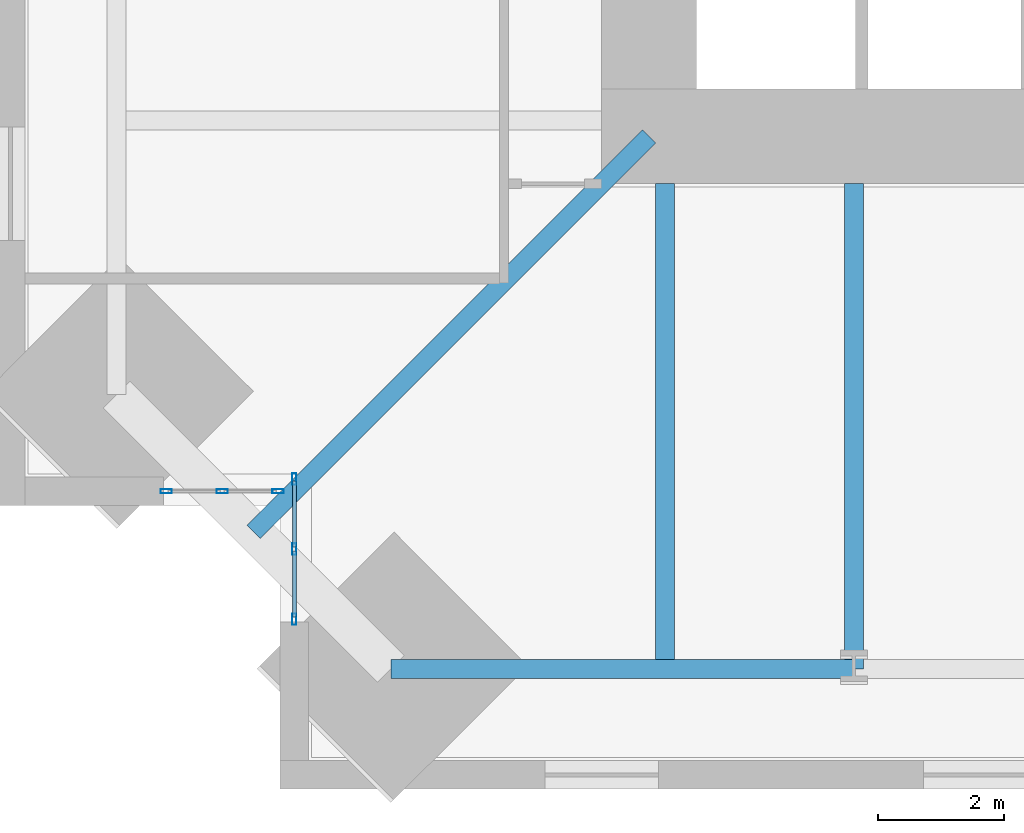
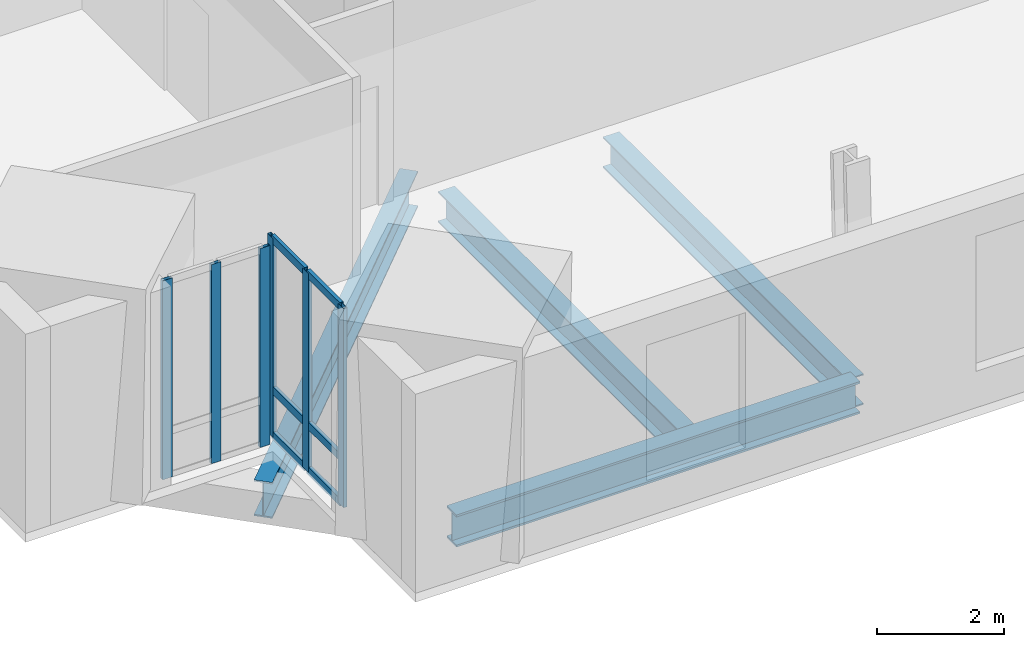
# One storey, part 2 of 16: 12 members, 4 beams, 2 elements without a shape of their own.
"""IFC4 building model written with IfcOpenShell, lengths in metres."""

from ifc_helpers import new_model, si_unit, direction, frame, origin, origin_2d, place, context, subcontext, project, spatial, hollow_rectangle, i_section, extrude, material, material_profile, profile_set, type_object, element, aggregate, save


model = new_model("IFC4")

# Units and contexts
model_context = context("Model", 3, precision=1e-05, world=origin(), true_north=direction((0.0, 1.0)))
body_context = subcontext(model_context, "Body", "Model", "MODEL_VIEW")
ifc_project = project(units=[si_unit("LENGTHUNIT", "METRE"), si_unit("AREAUNIT", "SQUARE_METRE"), si_unit("VOLUMEUNIT", "CUBIC_METRE"), si_unit("PLANEANGLEUNIT", "RADIAN"), si_unit("MASSUNIT", "GRAM", prefix="KILO")], contexts=[model_context])

# Site, building, storey
site_placement = place(None, origin())
site = spatial("IfcSite", under=ifc_project, at=site_placement, CompositionType="ELEMENT")
building_placement = place(site_placement, origin())
building = spatial("IfcBuilding", under=site, at=building_placement, Name="Peilmerk Tower", CompositionType="ELEMENT")
storey_placement = place(building_placement, frame((0.0, 0.0, 277.800048828125)))
storey = spatial("IfcBuildingStorey", under=building, at=storey_placement, Name="L62", CompositionType="ELEMENT", Elevation=277.800048828125)

# Beams
ifc_material_1 = material(Name="Steel S355", Category="steel")
ifc_material_profile_1 = material_profile(ifc_material_1, i_section(OverallWidth=0.300048828125, OverallDepth=0.68994140625, WebThickness=0.014404296875, FlangeThickness=0.027099609375, at=origin_2d()), Name="HEA 700")
ifc_profile_set_1 = profile_set([ifc_material_profile_1], Name="Steel S355")
beam_type_1 = type_object("IfcBeamType", Name="B16 HEA 700 floor beam", PredefinedType="BEAM", material=ifc_profile_set_1)
beam_1_placement = place(storey_placement, frame((-11.25, -11.25, -0.51513671875), z_axis=(-0.707106781187, -0.707106781187, 0.0), x_axis=(0.707106781187, -0.707106781187, 0.0)))
element("IfcBeam", 1, at=beam_1_placement, inside=storey, type_object=beam_type_1, Name="Corner girder L62", PredefinedType="BEAM", context=body_context, shape_type="SweptSolid", body=[
    extrude(i_section(OverallWidth=0.300048828125, OverallDepth=0.68994140625, WebThickness=0.014404296875, FlangeThickness=0.027099609375, at=origin_2d()), origin(), (0.0, 0.0, 1.0), 8.867431640625),
])
ifc_material_profile_2 = material_profile(ifc_material_1, i_section(OverallWidth=0.300048828125, OverallDepth=0.590087890625, WebThickness=0.012939453125, FlangeThickness=0.02490234375, at=origin_2d()), Name="HEA 600")
ifc_profile_set_2 = profile_set([ifc_material_profile_2], Name="Steel S355")
beam_type_2 = type_object("IfcBeamType", Name="B27 HEA 600 floor beam", PredefinedType="BEAM", material=ifc_profile_set_2)
for number, where, z_axis, x_axis, name in (
    (2, (-11.0, -12.0, -0.465087890625), (0.0, -1.0, 0.0), (1.0, 0.0, 0.0), "Floor beam L62"),
    (3, (-8.0, -12.0, -0.465087890625), (0.0, -1.0, 0.0), (1.0, 0.0, 0.0), "Floor beam L62"),
):
    element("IfcBeam", number, at=place(storey_placement, frame(where, z_axis=z_axis, x_axis=x_axis)), inside=storey, type_object=beam_type_2, Name=name, PredefinedType="BEAM", context=body_context, shape_type="SweptSolid", body=[
        extrude(i_section(OverallWidth=0.300048828125, OverallDepth=0.590087890625, WebThickness=0.012939453125, FlangeThickness=0.02490234375, at=origin_2d()), origin(), (0.0, 0.0, 1.0), 7.695068359375),
    ])
ifc_material_profile_3 = material_profile(ifc_material_1, i_section(OverallWidth=0.304931640625, OverallDepth=0.6201171875, WebThickness=0.02099609375, FlangeThickness=0.0400390625, at=origin_2d()), Name="HEM 600")
ifc_profile_set_3 = profile_set([ifc_material_profile_3], Name="Steel S355")
beam_type_3 = type_object("IfcBeamType", Name="B31 HEM 600 edge beam", PredefinedType="SPANDREL", material=ifc_profile_set_3)
beam_2_placement = place(storey_placement, frame((-15.34521484375, -19.695068359375, -0.47998046875), z_axis=(1.0, 0.0, 0.0), x_axis=(0.0, 1.0, 0.0)))
element("IfcBeam", 4, at=beam_2_placement, inside=storey, type_object=beam_type_3, Name="Edge beam L62", PredefinedType="SPANDREL", context=body_context, shape_type="SweptSolid", body=[
    extrude(i_section(OverallWidth=0.304931640625, OverallDepth=0.6201171875, WebThickness=0.02099609375, FlangeThickness=0.0400390625, at=origin_2d()), origin(), (0.0, 0.0, 1.0), 7.34521484375),
])

# Curtain wall, members
ifc_material_2 = material(Name="Aluminium stick curtain wall", Category="aluminium")
curtain_wall_type = type_object("IfcCurtainWallType", Name="CW4 stick curtain wall, 2250 module", PredefinedType="NOTDEFINED", material=ifc_material_2)
curtain_wall_1_placement = place(storey_placement, origin())
curtain_wall_1 = element("IfcCurtainWall", 5, at=curtain_wall_1_placement, inside=storey, type_object=curtain_wall_type, Name="Curtain wall CW4 SWA L62", PredefinedType="NOTDEFINED")
ifc_material_3 = material(Name="Aluminium EN AW-6063 T6", Category="aluminium")
ifc_material_profile_4 = material_profile(ifc_material_3, hollow_rectangle(XDim=0.06494140625, YDim=0.179931640625, WallThickness=0.0029296875, at=origin_2d()), Name="AL 180x65x3")
ifc_profile_set_4 = profile_set([ifc_material_profile_4], Name="Aluminium EN AW-6063 T6")
member_type_1 = type_object("IfcMemberType", Name="CW4-M AL 180x65x3 mullion", PredefinedType="MULLION", material=ifc_profile_set_4)
member_1_placement = place(storey_placement, frame((-16.875, -16.6826171875, 0.0), z_axis=(0.0, 0.0, 1.0), x_axis=(1.0, 0.0, 0.0)))
member_1 = element("IfcMember", 6, at=member_1_placement, type_object=member_type_1, Name="CW4 mullion 1", PredefinedType="MULLION", context=body_context, shape_type="SweptSolid", body=[
    extrude(hollow_rectangle(XDim=0.06494140625, YDim=0.179931640625, WallThickness=0.0029296875, at=origin_2d()), origin(), (0.0, 0.0, 1.0), 3.829833984375),
])
member_2_placement = place(storey_placement, frame((-16.875, -17.79443359375, 0.0), z_axis=(0.0, 0.0, 1.0), x_axis=(1.0, 0.0, 0.0)))
member_2 = element("IfcMember", 7, at=member_2_placement, type_object=member_type_1, Name="CW4 mullion 2", PredefinedType="MULLION", context=body_context, shape_type="SweptSolid", body=[
    extrude(hollow_rectangle(XDim=0.06494140625, YDim=0.179931640625, WallThickness=0.0029296875, at=origin_2d()), origin(), (0.0, 0.0, 1.0), 3.829833984375),
])
member_3_placement = place(storey_placement, frame((-16.875, -18.90625, 0.0), z_axis=(0.0, 0.0, 1.0), x_axis=(1.0, 0.0, 0.0)))
member_3 = element("IfcMember", 8, at=member_3_placement, type_object=member_type_1, Name="CW4 mullion 3", PredefinedType="MULLION", context=body_context, shape_type="SweptSolid", body=[
    extrude(hollow_rectangle(XDim=0.06494140625, YDim=0.179931640625, WallThickness=0.0029296875, at=origin_2d()), origin(), (0.0, 0.0, 1.0), 3.829833984375),
])

curtain_wall_2_placement = place(storey_placement, origin())
curtain_wall_2 = element("IfcCurtainWall", 9, at=curtain_wall_2_placement, inside=storey, type_object=curtain_wall_type, Name="Curtain wall CW4 SWB L62", PredefinedType="NOTDEFINED")
member_4_placement = place(storey_placement, frame((-17.132568359375, -16.875, 0.0), z_axis=(0.0, 0.0, 1.0), x_axis=(0.0, -1.0, 0.0)))
member_4 = element("IfcMember", 10, at=member_4_placement, type_object=member_type_1, Name="CW4 mullion 1", PredefinedType="MULLION", context=body_context, shape_type="SweptSolid", body=[
    extrude(hollow_rectangle(XDim=0.06494140625, YDim=0.179931640625, WallThickness=0.0029296875, at=origin_2d()), origin(), (0.0, 0.0, 1.0), 3.829833984375),
])
member_5_placement = place(storey_placement, frame((-18.019287109375, -16.875, 0.0), z_axis=(0.0, 0.0, 1.0), x_axis=(0.0, -1.0, 0.0)))
member_5 = element("IfcMember", 11, at=member_5_placement, type_object=member_type_1, Name="CW4 mullion 2", PredefinedType="MULLION", context=body_context, shape_type="SweptSolid", body=[
    extrude(hollow_rectangle(XDim=0.06494140625, YDim=0.179931640625, WallThickness=0.0029296875, at=origin_2d()), origin(), (0.0, 0.0, 1.0), 3.829833984375),
])
member_6_placement = place(storey_placement, frame((-18.90625, -16.875, 0.0), z_axis=(0.0, 0.0, 1.0), x_axis=(0.0, -1.0, 0.0)))
member_6 = element("IfcMember", 12, at=member_6_placement, type_object=member_type_1, Name="CW4 mullion 3", PredefinedType="MULLION", context=body_context, shape_type="SweptSolid", body=[
    extrude(hollow_rectangle(XDim=0.06494140625, YDim=0.179931640625, WallThickness=0.0029296875, at=origin_2d()), origin(), (0.0, 0.0, 1.0), 3.829833984375),
])
aggregate(curtain_wall_2, [member_4, member_5, member_6])

# Member
ifc_material_profile_5 = material_profile(ifc_material_3, hollow_rectangle(XDim=0.06494140625, YDim=0.14990234375, WallThickness=0.0029296875, at=origin_2d()), Name="AL 150x65x3")
ifc_profile_set_5 = profile_set([ifc_material_profile_5], Name="Aluminium EN AW-6063 T6")
member_type_2 = type_object("IfcMemberType", Name="CW4-T AL 150x65x3 transom", PredefinedType="USERDEFINED", material=ifc_profile_set_5)
member_7_placement = place(storey_placement, frame((-16.875, -16.715087890625, 0.032470703125), z_axis=(0.0, -1.0, 0.0), x_axis=(1.0, 0.0, 0.0)))
member_7 = element("IfcMember", 13, at=member_7_placement, type_object=member_type_2, Name="CW4 transom 1.1", ObjectType="TRANSOM", PredefinedType="USERDEFINED", context=body_context, shape_type="SweptSolid", body=[
    extrude(hollow_rectangle(XDim=0.06494140625, YDim=0.14990234375, WallThickness=0.0029296875, at=origin_2d()), origin(), (0.0, 0.0, 1.0), 1.046630859375),
])

member_8_placement = place(storey_placement, frame((-16.875, -16.715087890625, 0.89990234375), z_axis=(0.0, -1.0, 0.0), x_axis=(1.0, 0.0, 0.0)))
member_8 = element("IfcMember", 14, at=member_8_placement, type_object=member_type_2, Name="CW4 transom 1.2", ObjectType="TRANSOM", PredefinedType="USERDEFINED", context=body_context, shape_type="SweptSolid", body=[
    extrude(hollow_rectangle(XDim=0.06494140625, YDim=0.14990234375, WallThickness=0.0029296875, at=origin_2d()), origin(), (0.0, 0.0, 1.0), 1.046630859375),
])

member_9_placement = place(storey_placement, frame((-16.875, -16.715087890625, 3.79736328125), z_axis=(0.0, -1.0, 0.0), x_axis=(1.0, 0.0, 0.0)))
member_9 = element("IfcMember", 15, at=member_9_placement, type_object=member_type_2, Name="CW4 transom 1.3", ObjectType="TRANSOM", PredefinedType="USERDEFINED", context=body_context, shape_type="SweptSolid", body=[
    extrude(hollow_rectangle(XDim=0.06494140625, YDim=0.14990234375, WallThickness=0.0029296875, at=origin_2d()), origin(), (0.0, 0.0, 1.0), 1.046630859375),
])

member_10_placement = place(storey_placement, frame((-16.875, -17.826904296875, 0.032470703125), z_axis=(0.0, -1.0, 0.0), x_axis=(1.0, 0.0, 0.0)))
member_10 = element("IfcMember", 16, at=member_10_placement, type_object=member_type_2, Name="CW4 transom 2.1", ObjectType="TRANSOM", PredefinedType="USERDEFINED", context=body_context, shape_type="SweptSolid", body=[
    extrude(hollow_rectangle(XDim=0.06494140625, YDim=0.14990234375, WallThickness=0.0029296875, at=origin_2d()), origin(), (0.0, 0.0, 1.0), 1.046875),
])

member_11_placement = place(storey_placement, frame((-16.875, -17.826904296875, 0.89990234375), z_axis=(0.0, -1.0, 0.0), x_axis=(1.0, 0.0, 0.0)))
member_11 = element("IfcMember", 17, at=member_11_placement, type_object=member_type_2, Name="CW4 transom 2.2", ObjectType="TRANSOM", PredefinedType="USERDEFINED", context=body_context, shape_type="SweptSolid", body=[
    extrude(hollow_rectangle(XDim=0.06494140625, YDim=0.14990234375, WallThickness=0.0029296875, at=origin_2d()), origin(), (0.0, 0.0, 1.0), 1.046875),
])

member_12_placement = place(storey_placement, frame((-16.875, -17.826904296875, 3.79736328125), z_axis=(0.0, -1.0, 0.0), x_axis=(1.0, 0.0, 0.0)))
member_12 = element("IfcMember", 18, at=member_12_placement, type_object=member_type_2, Name="CW4 transom 2.3", ObjectType="TRANSOM", PredefinedType="USERDEFINED", context=body_context, shape_type="SweptSolid", body=[
    extrude(hollow_rectangle(XDim=0.06494140625, YDim=0.14990234375, WallThickness=0.0029296875, at=origin_2d()), origin(), (0.0, 0.0, 1.0), 1.046875),
])

aggregate(curtain_wall_1, [member_1, member_2, member_3, member_7, member_8, member_9, member_10, member_11, member_12])

save(model, "model.ifc")
